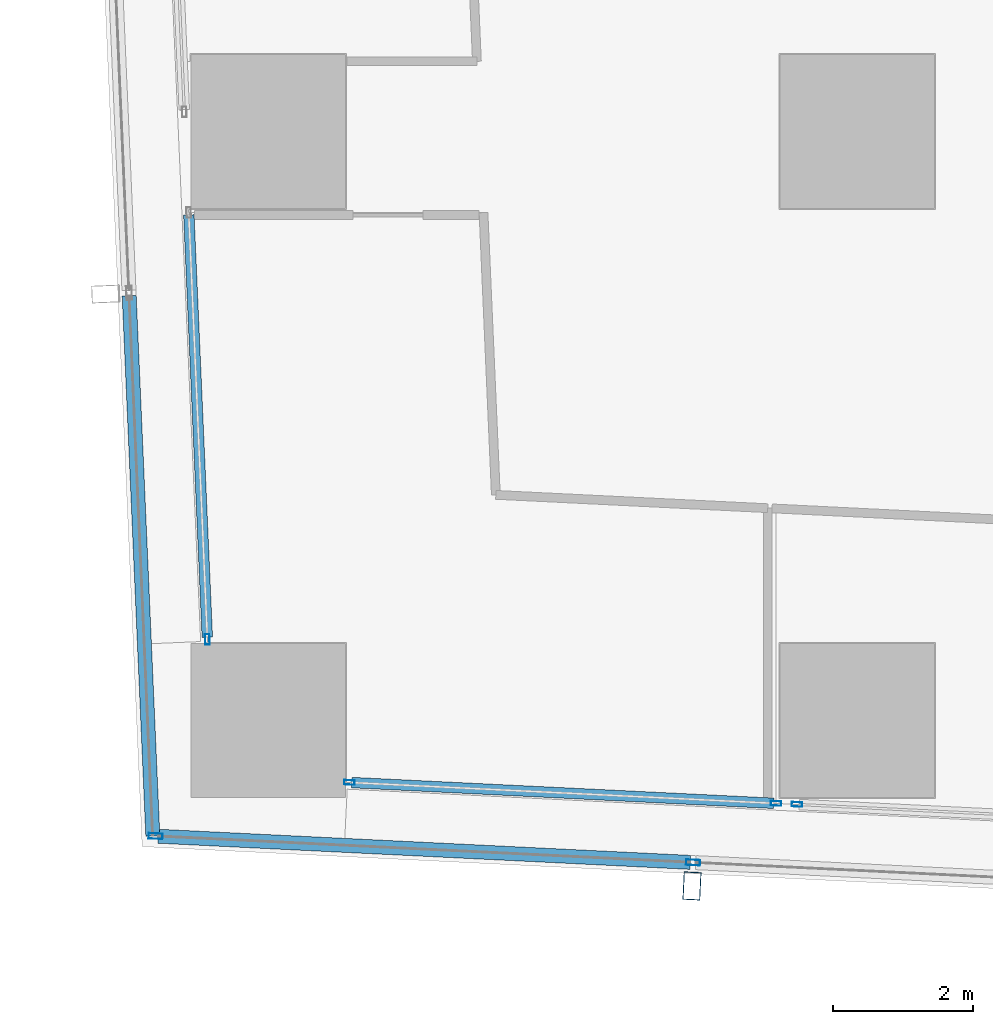
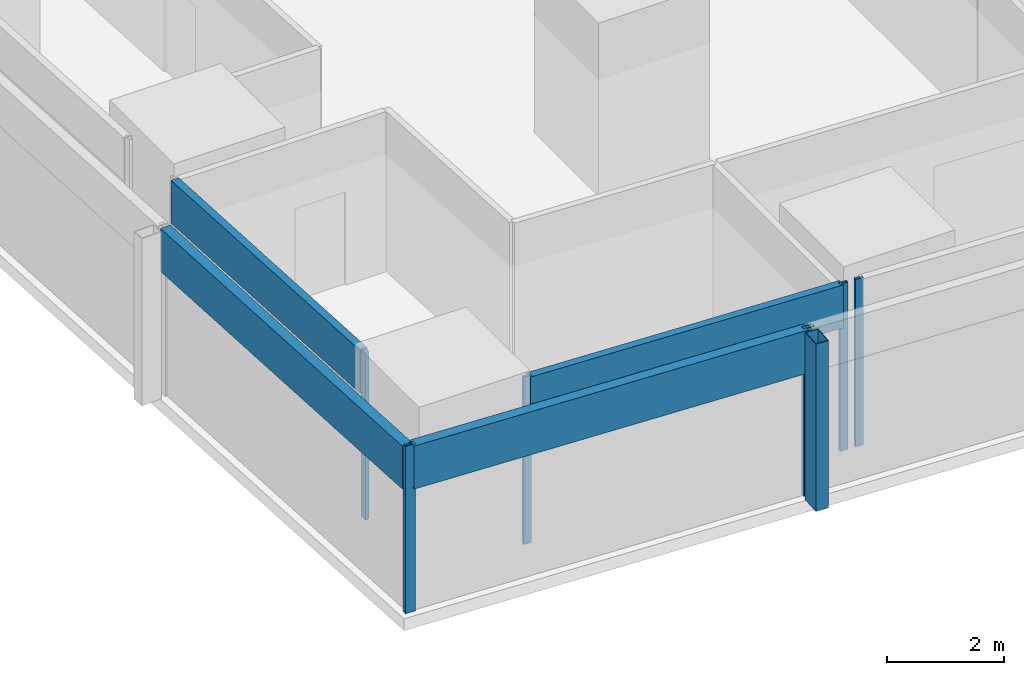
# One storey, part 2 of 42: 11 members, 5 elements without a shape of their own.
"""IFC4 building model written with IfcOpenShell, lengths in metres."""

from ifc_helpers import new_model, si_unit, direction, frame, origin, origin_2d, place, context, subcontext, project, spatial, hollow_rectangle, extrude, material, material_profile, profile_set, type_object, element, aggregate, save


model = new_model("IFC4")

# Units and contexts
model_context = context("Model", 3, precision=1e-05, world=origin(), true_north=direction((0.0, 1.0)))
body_context = subcontext(model_context, "Body", "Model", "MODEL_VIEW")
ifc_project = project(units=[si_unit("LENGTHUNIT", "METRE"), si_unit("AREAUNIT", "SQUARE_METRE"), si_unit("VOLUMEUNIT", "CUBIC_METRE"), si_unit("PLANEANGLEUNIT", "RADIAN"), si_unit("MASSUNIT", "GRAM", prefix="KILO")], contexts=[model_context])

# Site, building, storey
site_placement = place(None, origin())
site = spatial("IfcSite", under=ifc_project, at=site_placement, CompositionType="ELEMENT")
building_placement = place(site_placement, origin())
building = spatial("IfcBuilding", under=site, at=building_placement, Name="Rekha Terrace Tower", CompositionType="ELEMENT")
storey_placement = place(building_placement, frame((0.0, 0.0, 40.39990234375)))
storey = spatial("IfcBuildingStorey", under=building, at=storey_placement, Name="L09", CompositionType="ELEMENT", Elevation=40.39990234375)

# Curtain wall, member
ifc_material_1 = material(Name="Aluminium framing", Category="aluminium")
curtain_wall_type_1 = type_object("IfcCurtainWallType", Name="CW2 double skin outer glazing", PredefinedType="USERDEFINED", material=ifc_material_1)
curtain_wall_1_placement = place(storey_placement, origin())
curtain_wall_1 = element("IfcCurtainWall", 1, at=curtain_wall_1_placement, inside=storey, type_object=curtain_wall_type_1, Name="CW2 double skin outer glazing", ObjectType="DOUBLE SKIN OUTER GLAZING", PredefinedType="USERDEFINED")
ifc_material_2 = material(Name="Steel S355 with fluorocarbon finish", Category="steel")
ifc_material_profile_1 = material_profile(ifc_material_2, hollow_rectangle(XDim=0.25, YDim=0.39990234375, WallThickness=0.012451171875, at=origin_2d()), Name="RHS400x250x12.5")
ifc_profile_set_1 = profile_set([ifc_material_profile_1], Name="Steel S355 with fluorocarbon finish")
member_type_1 = type_object("IfcMemberType", Name="BL1 facade blade RHS 400 x 250", PredefinedType="USERDEFINED", material=ifc_profile_set_1)
member_1_placement = place(storey_placement, frame((14.443603515625, 6.03955078125, 0.0), z_axis=(0.0, 0.0, 1.0), x_axis=(0.998796226835, -0.049051985279, 0.0)))
member_1 = element("IfcMember", 2, at=member_1_placement, type_object=member_type_1, Name="Facade blade", ObjectType="FACADE BLADE", PredefinedType="USERDEFINED", context=body_context, shape_type="SweptSolid", body=[
    extrude(hollow_rectangle(XDim=0.25, YDim=0.39990234375, WallThickness=0.012451171875, at=origin_2d()), origin(), (0.0, 0.0, 1.0), 3.5),
])

# Curtain wall, members
curtain_wall_type_2 = type_object("IfcCurtainWallType", Name="CW1 double skin inner glazing", PredefinedType="USERDEFINED", material=ifc_material_1)
curtain_wall_2_placement = place(storey_placement, origin())
curtain_wall_2 = element("IfcCurtainWall", 3, at=curtain_wall_2_placement, inside=storey, type_object=curtain_wall_type_2, Name="CW1 double skin inner glazing", ObjectType="DOUBLE SKIN INNER GLAZING", PredefinedType="USERDEFINED")
ifc_material_3 = material(Name="Aluminium mullion section", Category="aluminium")
ifc_material_profile_2 = material_profile(ifc_material_3, hollow_rectangle(XDim=0.06494140625, YDim=0.14990234375, WallThickness=0.00390625, at=origin_2d()), Name="AL RHS 65x150")
ifc_profile_set_2 = profile_set([ifc_material_profile_2], Name="Aluminium mullion section")
member_type_2 = type_object("IfcMemberType", Name="CW1 mullion RHS 65 x 150", PredefinedType="MULLION", material=ifc_profile_set_2)
member_2_placement = place(storey_placement, frame((9.55712890625, 7.51611328125, 0.0), z_axis=(0.0, 0.0, 1.0), x_axis=(0.049051717693, 0.998796239977, 0.0)))
member_2 = element("IfcMember", 4, at=member_2_placement, type_object=member_type_2, Name="CW1 mullion 1", PredefinedType="MULLION", context=body_context, shape_type="SweptSolid", body=[
    extrude(hollow_rectangle(XDim=0.06494140625, YDim=0.14990234375, WallThickness=0.00390625, at=origin_2d()), origin(), (0.0, 0.0, 1.0), 3.5),
])
member_3_placement = place(storey_placement, frame((15.642822265625, 7.21728515625, 0.0), z_axis=(0.0, 0.0, 1.0), x_axis=(0.049051717693, 0.998796239977, 0.0)))
member_3 = element("IfcMember", 5, at=member_3_placement, type_object=member_type_2, Name="CW1 mullion 2", PredefinedType="MULLION", context=body_context, shape_type="SweptSolid", body=[
    extrude(hollow_rectangle(XDim=0.06494140625, YDim=0.14990234375, WallThickness=0.00390625, at=origin_2d()), origin(), (0.0, 0.0, 1.0), 3.5),
])

# Curtain wall, member
curtain_wall_3_placement = place(storey_placement, origin())
curtain_wall_3 = element("IfcCurtainWall", 6, at=curtain_wall_3_placement, inside=storey, type_object=curtain_wall_type_2, Name="CW1 double skin inner glazing", ObjectType="DOUBLE SKIN INNER GLAZING", PredefinedType="USERDEFINED")
member_4_placement = place(storey_placement, frame((15.94091796875, 7.20263671875, 0.0), z_axis=(0.0, 0.0, 1.0), x_axis=(0.049051717746, 0.998796239974, 0.0)))
member_4 = element("IfcMember", 7, at=member_4_placement, type_object=member_type_2, Name="CW1 mullion 1", PredefinedType="MULLION", context=body_context, shape_type="SweptSolid", body=[
    extrude(hollow_rectangle(XDim=0.06494140625, YDim=0.14990234375, WallThickness=0.00390625, at=origin_2d()), origin(), (0.0, 0.0, 1.0), 3.5),
])
aggregate(curtain_wall_3, [member_4])

curtain_wall_4_placement = place(storey_placement, origin())
curtain_wall_4 = element("IfcCurtainWall", 8, at=curtain_wall_4_placement, inside=storey, type_object=curtain_wall_type_2, Name="CW1 double skin inner glazing", ObjectType="DOUBLE SKIN INNER GLAZING", PredefinedType="USERDEFINED")
member_5_placement = place(storey_placement, frame((7.53173828125, 9.556640625, 0.0), z_axis=(0.0, 0.0, 1.0), x_axis=(0.999045462129, 0.043682543424, 0.0)))
member_5 = element("IfcMember", 9, at=member_5_placement, type_object=member_type_2, Name="CW1 mullion 2", PredefinedType="MULLION", context=body_context, shape_type="SweptSolid", body=[
    extrude(hollow_rectangle(XDim=0.06494140625, YDim=0.14990234375, WallThickness=0.00390625, at=origin_2d()), origin(), (0.0, 0.0, 1.0), 3.5),
])

# Member
ifc_material_4 = material(Name="Insulated aluminium spandrel box", Category="aluminium")
ifc_material_profile_3 = material_profile(ifc_material_4, hollow_rectangle(XDim=0.14990234375, YDim=0.89990234375, WallThickness=0.0029296875, at=origin_2d()), Name="AL SPANDREL BOX 150x900")
ifc_profile_set_3 = profile_set([ifc_material_profile_3], Name="Insulated aluminium spandrel box")
member_type_3 = type_object("IfcMemberType", Name="CW1 spandrel transom 150 x 900", PredefinedType="USERDEFINED", material=ifc_profile_set_3)
member_6_placement = place(storey_placement, frame((9.589599609375, 7.514404296875, 3.050048828125), z_axis=(0.99879648266, -0.049046775901, 0.0), x_axis=(0.049046775901, 0.99879648266, 0.0)))
member_6 = element("IfcMember", 10, at=member_6_placement, type_object=member_type_3, Name="CW1 spandrel transom 1", ObjectType="TRANSOM", PredefinedType="USERDEFINED", context=body_context, shape_type="SweptSolid", body=[
    extrude(hollow_rectangle(XDim=0.14990234375, YDim=0.89990234375, WallThickness=0.0029296875, at=origin_2d()), origin(), (0.0, 0.0, 1.0), 6.028076171875),
])

aggregate(curtain_wall_2, [member_2, member_3, member_6])

member_7_placement = place(storey_placement, frame((7.26708984375, 15.61083984375, 3.050048828125), z_axis=(0.043663972565, -0.999046273953, 0.0), x_axis=(0.999046273953, 0.043663972565, 0.0)))
member_7 = element("IfcMember", 11, at=member_7_placement, type_object=member_type_3, Name="CW1 spandrel transom 1", ObjectType="TRANSOM", PredefinedType="USERDEFINED", context=body_context, shape_type="SweptSolid", body=[
    extrude(hollow_rectangle(XDim=0.14990234375, YDim=0.89990234375, WallThickness=0.0029296875, at=origin_2d()), origin(), (0.0, 0.0, 1.0), 6.027587890625),
])

aggregate(curtain_wall_4, [member_5, member_7])

ifc_material_profile_4 = material_profile(ifc_material_3, hollow_rectangle(XDim=0.080078125, YDim=0.199951171875, WallThickness=0.00390625, at=origin_2d()), Name="AL RHS 80x200")
ifc_profile_set_4 = profile_set([ifc_material_profile_4], Name="Aluminium mullion section")
member_type_4 = type_object("IfcMemberType", Name="CW2 mullion RHS 80 x 200", PredefinedType="MULLION", material=ifc_profile_set_4)
member_8_placement = place(storey_placement, frame((6.79345703125, 6.750732421875, 0.0), z_axis=(0.0, 0.0, 1.0), x_axis=(0.049051717746, 0.998796239974, 0.0)))
member_8 = element("IfcMember", 12, at=member_8_placement, type_object=member_type_4, Name="CW2 mullion 1", PredefinedType="MULLION", context=body_context, shape_type="SweptSolid", body=[
    extrude(hollow_rectangle(XDim=0.080078125, YDim=0.199951171875, WallThickness=0.00390625, at=origin_2d()), origin(), (0.0, 0.0, 1.0), 3.5),
])

member_9_placement = place(storey_placement, frame((14.4599609375, 6.374267578125, 0.0), z_axis=(0.0, 0.0, 1.0), x_axis=(0.049051717746, 0.998796239974, 0.0)))
member_9 = element("IfcMember", 13, at=member_9_placement, type_object=member_type_4, Name="CW2 mullion 2", PredefinedType="MULLION", context=body_context, shape_type="SweptSolid", body=[
    extrude(hollow_rectangle(XDim=0.080078125, YDim=0.199951171875, WallThickness=0.00390625, at=origin_2d()), origin(), (0.0, 0.0, 1.0), 3.5),
])

ifc_material_profile_5 = material_profile(ifc_material_4, hollow_rectangle(XDim=0.199951171875, YDim=0.89990234375, WallThickness=0.0029296875, at=origin_2d()), Name="AL SPANDREL BOX 200x900")
ifc_profile_set_5 = profile_set([ifc_material_profile_5], Name="Insulated aluminium spandrel box")
member_type_5 = type_object("IfcMemberType", Name="CW2 spandrel transom 200 x 900", PredefinedType="USERDEFINED", material=ifc_profile_set_5)
member_10_placement = place(storey_placement, frame((6.83349609375, 6.748779296875, 3.050048828125), z_axis=(0.99879635036, -0.049049469996, 0.0), x_axis=(0.049049469996, 0.99879635036, 0.0)))
member_10 = element("IfcMember", 14, at=member_10_placement, type_object=member_type_5, Name="CW2 spandrel transom 1", ObjectType="TRANSOM", PredefinedType="USERDEFINED", context=body_context, shape_type="SweptSolid", body=[
    extrude(hollow_rectangle(XDim=0.199951171875, YDim=0.89990234375, WallThickness=0.0029296875, at=origin_2d()), origin(), (0.0, 0.0, 1.0), 7.595458984375),
])

aggregate(curtain_wall_1, [member_8, member_9, member_10, member_1])

# Curtain wall, member
curtain_wall_5_placement = place(storey_placement, origin())
curtain_wall_5 = element("IfcCurtainWall", 15, at=curtain_wall_5_placement, inside=storey, type_object=curtain_wall_type_1, Name="CW2 double skin outer glazing", ObjectType="DOUBLE SKIN OUTER GLAZING", PredefinedType="USERDEFINED")
member_11_placement = place(storey_placement, frame((6.41650390625, 14.45703125, 3.050048828125), z_axis=(0.043688638652, -0.999045195601, 0.0), x_axis=(0.999045195601, 0.043688638652, 0.0)))
member_11 = element("IfcMember", 16, at=member_11_placement, type_object=member_type_5, Name="CW2 spandrel transom 5", ObjectType="TRANSOM", PredefinedType="USERDEFINED", context=body_context, shape_type="SweptSolid", body=[
    extrude(hollow_rectangle(XDim=0.199951171875, YDim=0.89990234375, WallThickness=0.0029296875, at=origin_2d()), origin(), (0.0, 0.0, 1.0), 7.711669921875),
])
aggregate(curtain_wall_5, [member_11])

save(model, "model.ifc")
